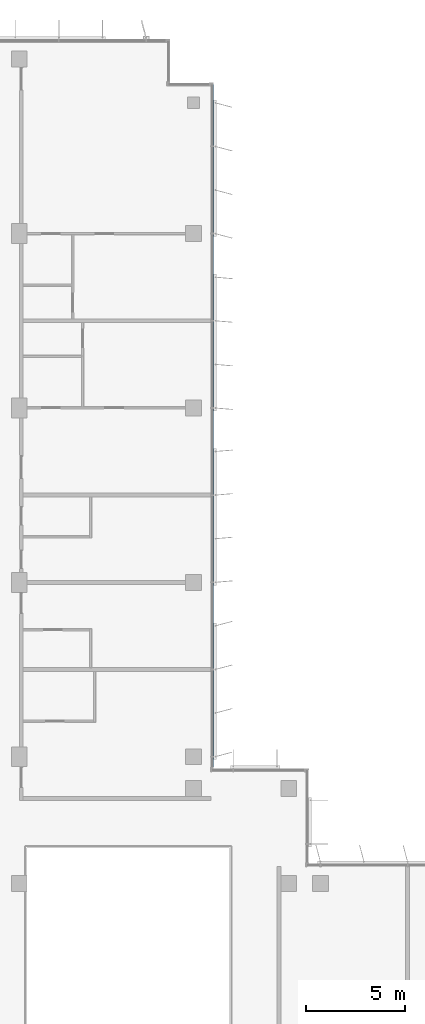
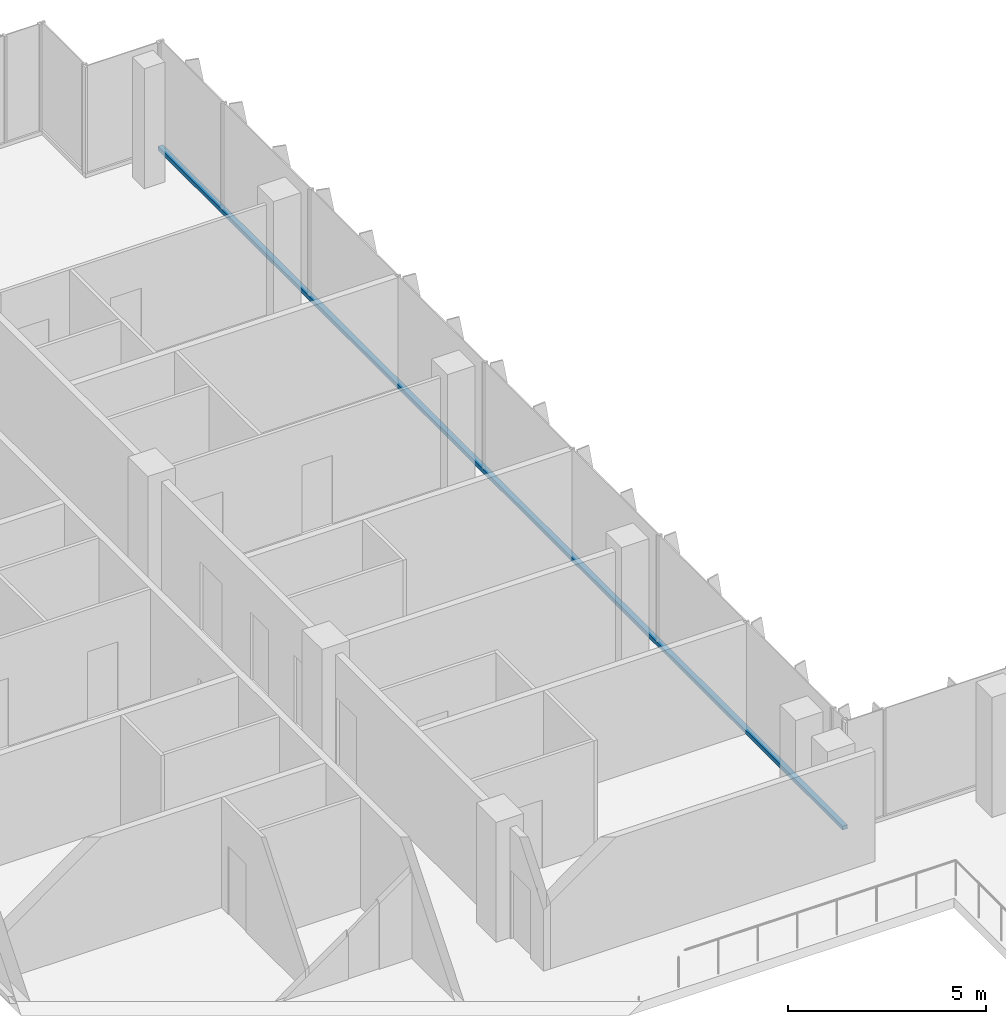
# One storey, part 5 of 16: 1 member, 1 element without a shape of its own.
"""IFC4 building model written with IfcOpenShell, lengths in metres."""

import ifcopenshell
import ifcopenshell.guid

model = None  # the IFC model being written
_history = None  # IfcOwnerHistory: only IFC2X3 demands one
_inside = {}  # id of a spatial element -> (the spatial element, [elements in it])
_under = {}  # id of a project, library or spatial element -> (it, [spatial elements below it])
_declared = {}  # id of a project -> (the project, [libraries it declares])
_typed = {}  # id of a type object -> (the type object, [elements of that type])
_made_of = {}  # id of a material, layer set ... -> (it, [elements and type objects made of it])


def new_model(schema):
    """Start an empty IFC model of exactly this schema.

    Asked for "IFC4X3", IfcOpenShell would pick the latest addendum, in which some entities
    have other attributes; the version numbers below select the first issue.
    IFC2X3 requires an IfcOwnerHistory on every rooted entity: one is made here for all.
    """
    global model, _history
    if schema == "IFC4X3":
        model = ifcopenshell.file(schema_version=(4, 3, 0, 0))
    else:
        model = ifcopenshell.file(schema=schema)
    _inside.clear()
    _under.clear()
    _declared.clear()
    _typed.clear()
    _made_of.clear()
    _history = None
    if model.schema == "IFC2X3":
        org = make("IfcOrganization", Name="unknown")
        user = make(
            "IfcPersonAndOrganization",
            ThePerson=make("IfcPerson", FamilyName="unknown"),
            TheOrganization=org,
        )
        app = make(
            "IfcApplication",
            ApplicationDeveloper=org,
            Version="unknown",
            ApplicationFullName="unknown",
            ApplicationIdentifier="unknown",
        )
        _history = make(
            "IfcOwnerHistory",
            OwningUser=user,
            OwningApplication=app,
            ChangeAction="ADDED",
            CreationDate=0,
        )
    return model


def make(cls, **values):
    """One entity of the class cls with the attributes given. An attribute that is None is left unset."""
    return model.create_entity(
        cls, **{name: value for name, value in values.items() if value is not None}
    )


def rooted(cls, **values):
    """An entity with a GlobalId (a new one), such as an element, a storey or a relation."""
    return make(cls, GlobalId=ifcopenshell.guid.new(), OwnerHistory=_history, **values)


def si_unit(unit_type, name, prefix=None):
    """IfcSIUnit, for example si_unit("LENGTHUNIT", "METRE", prefix="MILLI")."""
    return make("IfcSIUnit", UnitType=unit_type, Prefix=prefix, Name=name)


def assignment(units):
    """IfcUnitAssignment: the units of a project."""
    return None if units is None else make("IfcUnitAssignment", Units=units)


def point(xyz):
    """IfcCartesianPoint."""
    return None if xyz is None else make("IfcCartesianPoint", Coordinates=xyz)


def direction(xyz):
    """IfcDirection."""
    return None if xyz is None else make("IfcDirection", DirectionRatios=xyz)


def frame(location, z_axis=None, x_axis=None):
    """IfcAxis2Placement3D, a coordinate frame: its origin and axes. An axis left out is left unset."""
    return make(
        "IfcAxis2Placement3D",
        Location=point(location),
        Axis=direction(z_axis),
        RefDirection=direction(x_axis),
    )


def frame_2d(location, x_axis=None):
    """IfcAxis2Placement2D, a coordinate frame in the plane: its origin and x axis."""
    return make(
        "IfcAxis2Placement2D", Location=point(location), RefDirection=direction(x_axis)
    )


def origin():
    """The frame at (0, 0, 0) with its axes left unset."""
    return frame((0.0, 0.0, 0.0))


def origin_2d():
    """The frame at (0, 0) in the plane with its x axis left unset."""
    return frame_2d((0.0, 0.0))


def place(relative_to, where):
    """IfcLocalPlacement: puts the frame where relative to a parent placement (None: the world)."""
    return make(
        "IfcLocalPlacement", PlacementRelTo=relative_to, RelativePlacement=where
    )


def context(
    kind, dimensions, precision=None, world=None, true_north=None, identifier=None
):
    """IfcGeometricRepresentationContext, for example the 3D "Model" context."""
    return make(
        "IfcGeometricRepresentationContext",
        ContextIdentifier=identifier,
        ContextType=kind,
        CoordinateSpaceDimension=dimensions,
        Precision=precision,
        WorldCoordinateSystem=world,
        TrueNorth=true_north,
    )


def subcontext(parent, identifier, kind, view, scale=None):
    """IfcGeometricRepresentationSubContext, for example "Body" below "Model"."""
    return make(
        "IfcGeometricRepresentationSubContext",
        ContextIdentifier=identifier,
        ContextType=kind,
        ParentContext=parent,
        TargetScale=scale,
        TargetView=view,
    )


def project(units=None, contexts=None):
    """IfcProject with its units and contexts."""
    return rooted(
        "IfcProject",
        Name="project",
        RepresentationContexts=contexts,
        UnitsInContext=assignment(units),
    )


def spatial(cls, under=None, at=None, **own):
    """A site, building, storey or space (cls), placed at a placement, below another one or the project."""
    s = rooted(cls, ObjectPlacement=at, **own)
    if under is not None:
        _under.setdefault(under.id(), (under, []))[1].append(s)
    return s


def profile(cls, at=None, kind="AREA", **sizes):
    """A parametric profile (cls). Its sizes go by their IFC names, for example OverallWidth=200.0."""
    return make(cls, ProfileType=kind, Position=at, **sizes)


def rectangle(**sizes):
    """IfcRectangleProfileDef."""
    return profile("IfcRectangleProfileDef", **sizes)


def extrude(swept, where, along, depth):
    """IfcExtrudedAreaSolid: the profile swept, set in the frame where, extruded along a direction by depth."""
    return make(
        "IfcExtrudedAreaSolid",
        SweptArea=swept,
        Position=where,
        ExtrudedDirection=direction(along),
        Depth=depth,
    )


def shape(context_of_items, identifier, shape_type, items):
    """IfcShapeRepresentation: the items that make up one representation, for example the "Body"."""
    return make(
        "IfcShapeRepresentation",
        ContextOfItems=context_of_items,
        RepresentationIdentifier=identifier,
        RepresentationType=shape_type,
        Items=items,
    )


def material(Name=None, Category=None):
    """IfcMaterial."""
    return make("IfcMaterial", Name=Name, Category=Category)


def material_profile(
    of_material, cross_section, Name=None, Category=None, Priority=None
):
    """IfcMaterialProfile: a cross section and its material."""
    return make(
        "IfcMaterialProfile",
        Name=Name,
        Material=of_material,
        Profile=cross_section,
        Priority=Priority,
        Category=Category,
    )


def profile_set(profiles, Name=None, composite=None):
    """IfcMaterialProfileSet."""
    return make(
        "IfcMaterialProfileSet",
        Name=Name,
        MaterialProfiles=profiles,
        CompositeProfile=composite,
    )


def made_of(thing, what):
    """Note that an element or type object is made of a material, layer set ...; save() writes the relation."""
    if what is not None:
        _made_of.setdefault(what.id(), (what, []))[1].append(thing)
    return thing


def type_object(cls, material=None, **own):
    """A type object (cls), such as IfcWallType, which elements share."""
    return made_of(rooted(cls, **own), material)


def element(
    cls,
    number,
    at=None,
    inside=None,
    cuts=None,
    type_object=None,
    material=None,
    context=None,
    identifier="Body",
    shape_type=None,
    held_by="IfcProductDefinitionShape",
    body=None,
    shapes=None,
    **own,
):
    """One element of the class cls, such as IfcWall. Its Tag is "e" and its number.

    at: its placement. inside: the storey or other place that contains it. cuts: it is an
    opening in that element (IfcRelVoidsElement). A single representation is given by context,
    identifier, shape_type and body (its items); several are given by shapes. held_by: the class
    of the entity that holds the representations. save() writes the other relations.
    """
    e = rooted(cls, Tag="e%d" % number, ObjectPlacement=at, **own)
    if body is not None:
        shapes = [shape(context, identifier, shape_type, body)]
    if shapes is not None:
        e.Representation = make(held_by, Representations=shapes)
    if inside is not None:
        _inside.setdefault(inside.id(), (inside, []))[1].append(e)
    if cuts is not None:
        rooted(
            "IfcRelVoidsElement", RelatingBuildingElement=cuts, RelatedOpeningElement=e
        )
    if type_object is not None:
        _typed.setdefault(type_object.id(), (type_object, []))[1].append(e)
    return made_of(e, material)


def aggregate(whole, parts):
    """IfcRelAggregates: a whole, such as a stair, and the parts it consists of."""
    return rooted("IfcRelAggregates", RelatingObject=whole, RelatedObjects=parts)


def save(model, path):
    """Write the relations noted so far, then the file.

    IfcRelAggregates (storeys below a building ...), IfcRelContainedInSpatialStructure (elements
    in a storey), IfcRelDefinesByType, IfcRelAssociatesMaterial and IfcRelDeclares: one each for
    every whole, place, type object, material and project.
    """
    for whole, parts in _under.values():
        aggregate(whole, parts)
    for where, things in _inside.values():
        rooted(
            "IfcRelContainedInSpatialStructure",
            RelatedElements=things,
            RelatingStructure=where,
        )
    for kind, things in _typed.values():
        rooted("IfcRelDefinesByType", RelatedObjects=things, RelatingType=kind)
    for what, things in _made_of.values():
        rooted("IfcRelAssociatesMaterial", RelatedObjects=things, RelatingMaterial=what)
    for by, libraries in _declared.values():
        rooted("IfcRelDeclares", RelatingContext=by, RelatedDefinitions=libraries)
    model.write(path)


model = new_model("IFC4")

# Units and contexts
model_context = context("Model", 3, precision=1e-05, world=origin(), true_north=direction((0.0, 1.0)))
body_context = subcontext(model_context, "Body", "Model", "MODEL_VIEW")
ifc_project = project(units=[si_unit("LENGTHUNIT", "METRE"), si_unit("AREAUNIT", "SQUARE_METRE"), si_unit("VOLUMEUNIT", "CUBIC_METRE"), si_unit("PLANEANGLEUNIT", "RADIAN"), si_unit("MASSUNIT", "GRAM", prefix="KILO")], contexts=[model_context])

# Site, building, storey
site_placement = place(None, origin())
site = spatial("IfcSite", under=ifc_project, at=site_placement, CompositionType="ELEMENT")
building_placement = place(site_placement, origin())
building = spatial("IfcBuilding", under=site, at=building_placement, Name="Kemantara Hotel Tower", CompositionType="ELEMENT")
storey_placement = place(building_placement, frame((0.0, 0.0, 287.0)))
storey = spatial("IfcBuildingStorey", under=building, at=storey_placement, Name="L72", CompositionType="ELEMENT", Elevation=287.0)

# Curtain wall, member
ifc_material_1 = material(Name="Low-E tinted double insulated glass 36 mm", Category="glass")
curtain_wall_type = type_object("IfcCurtainWallType", Name="TOWER CURTAIN WALL, FRONT FACES", PredefinedType="USERDEFINED", material=ifc_material_1)
curtain_wall_placement = place(storey_placement, origin())
curtain_wall = element("IfcCurtainWall", 1, at=curtain_wall_placement, inside=storey, type_object=curtain_wall_type, Name="CW4 L72 T4-R15-1", ObjectType="TOWER CURTAIN WALL, FRONT FACES", PredefinedType="USERDEFINED")
ifc_material_2 = material(Name="Aluminium 6063-T6 bronze anodised", Category="aluminium")
ifc_material_profile = material_profile(ifc_material_2, rectangle(XDim=0.14990234375, YDim=0.1201171875, at=origin_2d()), Name="TOWER CURTAIN WALL, FRONT FACES TRANSOM")
ifc_profile_set = profile_set([ifc_material_profile], Name="Aluminium 6063-T6 bronze anodised")
member_type = type_object("IfcMemberType", Name="TOWER CURTAIN WALL, FRONT FACES TRANSOM", PredefinedType="USERDEFINED", material=ifc_profile_set)
member_placement = place(storey_placement, frame((21.925048828125, 26.800048828125, 0.06005859375), z_axis=(0.0, 1.0, 0.0), x_axis=(-1.0, 0.0, 0.0)))
member = element("IfcMember", 2, at=member_placement, type_object=member_type, Name="CW4 sill transom T4-R15-1", ObjectType="TRANSOM", PredefinedType="USERDEFINED", context=body_context, shape_type="SweptSolid", body=[
    extrude(rectangle(XDim=0.14990234375, YDim=0.1201171875, at=origin_2d()), origin(), (0.0, 0.0, 1.0), 34.599853515625),
])
aggregate(curtain_wall, [member])

save(model, "model.ifc")
